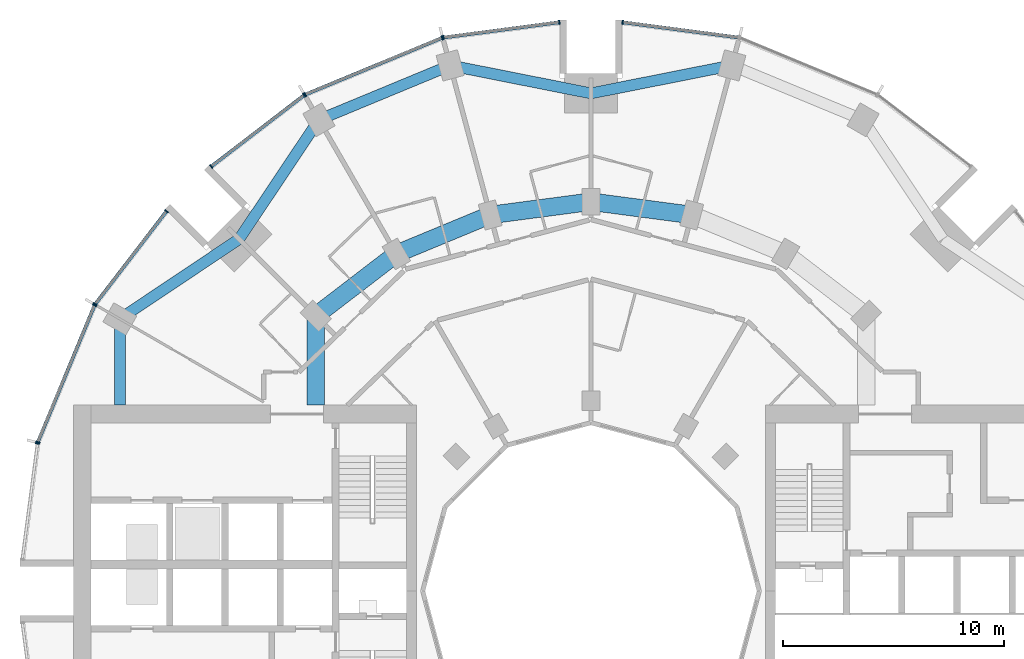
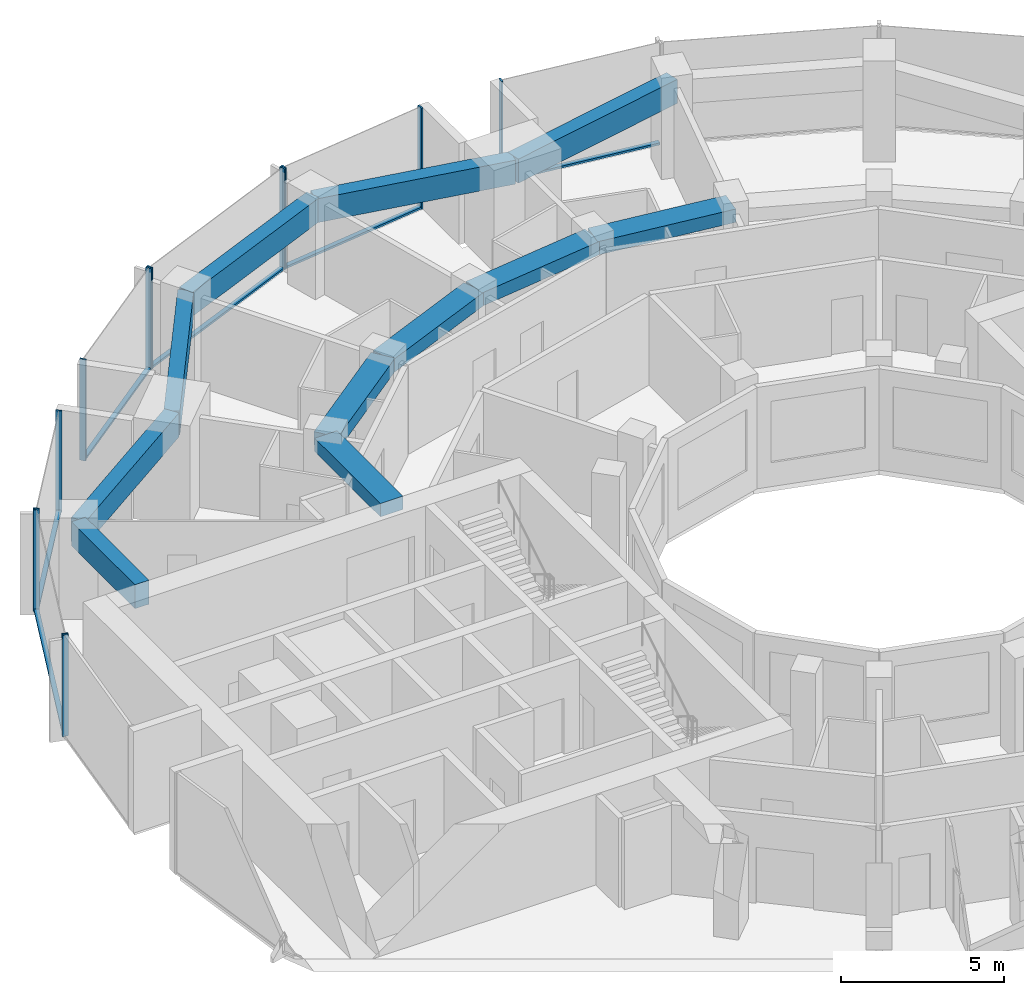
# One storey, part 5 of 15: 18 members, 11 beams, 7 elements without a shape of their own.
"""IFC4 building model written with IfcOpenShell, lengths in metres."""

import ifcopenshell
import ifcopenshell.guid

model = None  # the IFC model being written
_history = None  # IfcOwnerHistory: only IFC2X3 demands one
_inside = {}  # id of a spatial element -> (the spatial element, [elements in it])
_under = {}  # id of a project, library or spatial element -> (it, [spatial elements below it])
_declared = {}  # id of a project -> (the project, [libraries it declares])
_typed = {}  # id of a type object -> (the type object, [elements of that type])
_made_of = {}  # id of a material, layer set ... -> (it, [elements and type objects made of it])


def new_model(schema):
    """Start an empty IFC model of exactly this schema.

    Asked for "IFC4X3", IfcOpenShell would pick the latest addendum, in which some entities
    have other attributes; the version numbers below select the first issue.
    IFC2X3 requires an IfcOwnerHistory on every rooted entity: one is made here for all.
    """
    global model, _history
    if schema == "IFC4X3":
        model = ifcopenshell.file(schema_version=(4, 3, 0, 0))
    else:
        model = ifcopenshell.file(schema=schema)
    _inside.clear()
    _under.clear()
    _declared.clear()
    _typed.clear()
    _made_of.clear()
    _history = None
    if model.schema == "IFC2X3":
        org = make("IfcOrganization", Name="unknown")
        user = make(
            "IfcPersonAndOrganization",
            ThePerson=make("IfcPerson", FamilyName="unknown"),
            TheOrganization=org,
        )
        app = make(
            "IfcApplication",
            ApplicationDeveloper=org,
            Version="unknown",
            ApplicationFullName="unknown",
            ApplicationIdentifier="unknown",
        )
        _history = make(
            "IfcOwnerHistory",
            OwningUser=user,
            OwningApplication=app,
            ChangeAction="ADDED",
            CreationDate=0,
        )
    return model


def make(cls, **values):
    """One entity of the class cls with the attributes given. An attribute that is None is left unset."""
    return model.create_entity(
        cls, **{name: value for name, value in values.items() if value is not None}
    )


def rooted(cls, **values):
    """An entity with a GlobalId (a new one), such as an element, a storey or a relation."""
    return make(cls, GlobalId=ifcopenshell.guid.new(), OwnerHistory=_history, **values)


def si_unit(unit_type, name, prefix=None):
    """IfcSIUnit, for example si_unit("LENGTHUNIT", "METRE", prefix="MILLI")."""
    return make("IfcSIUnit", UnitType=unit_type, Prefix=prefix, Name=name)


def assignment(units):
    """IfcUnitAssignment: the units of a project."""
    return None if units is None else make("IfcUnitAssignment", Units=units)


def point(xyz):
    """IfcCartesianPoint."""
    return None if xyz is None else make("IfcCartesianPoint", Coordinates=xyz)


def direction(xyz):
    """IfcDirection."""
    return None if xyz is None else make("IfcDirection", DirectionRatios=xyz)


def frame(location, z_axis=None, x_axis=None):
    """IfcAxis2Placement3D, a coordinate frame: its origin and axes. An axis left out is left unset."""
    return make(
        "IfcAxis2Placement3D",
        Location=point(location),
        Axis=direction(z_axis),
        RefDirection=direction(x_axis),
    )


def frame_2d(location, x_axis=None):
    """IfcAxis2Placement2D, a coordinate frame in the plane: its origin and x axis."""
    return make(
        "IfcAxis2Placement2D", Location=point(location), RefDirection=direction(x_axis)
    )


def origin():
    """The frame at (0, 0, 0) with its axes left unset."""
    return frame((0.0, 0.0, 0.0))


def origin_2d():
    """The frame at (0, 0) in the plane with its x axis left unset."""
    return frame_2d((0.0, 0.0))


def place(relative_to, where):
    """IfcLocalPlacement: puts the frame where relative to a parent placement (None: the world)."""
    return make(
        "IfcLocalPlacement", PlacementRelTo=relative_to, RelativePlacement=where
    )


def context(
    kind, dimensions, precision=None, world=None, true_north=None, identifier=None
):
    """IfcGeometricRepresentationContext, for example the 3D "Model" context."""
    return make(
        "IfcGeometricRepresentationContext",
        ContextIdentifier=identifier,
        ContextType=kind,
        CoordinateSpaceDimension=dimensions,
        Precision=precision,
        WorldCoordinateSystem=world,
        TrueNorth=true_north,
    )


def subcontext(parent, identifier, kind, view, scale=None):
    """IfcGeometricRepresentationSubContext, for example "Body" below "Model"."""
    return make(
        "IfcGeometricRepresentationSubContext",
        ContextIdentifier=identifier,
        ContextType=kind,
        ParentContext=parent,
        TargetScale=scale,
        TargetView=view,
    )


def project(units=None, contexts=None):
    """IfcProject with its units and contexts."""
    return rooted(
        "IfcProject",
        Name="project",
        RepresentationContexts=contexts,
        UnitsInContext=assignment(units),
    )


def spatial(cls, under=None, at=None, **own):
    """A site, building, storey or space (cls), placed at a placement, below another one or the project."""
    s = rooted(cls, ObjectPlacement=at, **own)
    if under is not None:
        _under.setdefault(under.id(), (under, []))[1].append(s)
    return s


def profile(cls, at=None, kind="AREA", **sizes):
    """A parametric profile (cls). Its sizes go by their IFC names, for example OverallWidth=200.0."""
    return make(cls, ProfileType=kind, Position=at, **sizes)


def rectangle(**sizes):
    """IfcRectangleProfileDef."""
    return profile("IfcRectangleProfileDef", **sizes)


def extrude(swept, where, along, depth):
    """IfcExtrudedAreaSolid: the profile swept, set in the frame where, extruded along a direction by depth."""
    return make(
        "IfcExtrudedAreaSolid",
        SweptArea=swept,
        Position=where,
        ExtrudedDirection=direction(along),
        Depth=depth,
    )


def shape(context_of_items, identifier, shape_type, items):
    """IfcShapeRepresentation: the items that make up one representation, for example the "Body"."""
    return make(
        "IfcShapeRepresentation",
        ContextOfItems=context_of_items,
        RepresentationIdentifier=identifier,
        RepresentationType=shape_type,
        Items=items,
    )


def material(Name=None, Category=None):
    """IfcMaterial."""
    return make("IfcMaterial", Name=Name, Category=Category)


def layer(
    of_material, thickness, ventilated=None, Name=None, Category=None, Priority=None
):
    """IfcMaterialLayer: one layer of a wall or slab, of a material (None: an air gap)."""
    return make(
        "IfcMaterialLayer",
        Material=of_material,
        LayerThickness=thickness,
        IsVentilated=ventilated,
        Name=Name,
        Category=Category,
        Priority=Priority,
    )


def layer_set(layers, Name=None):
    """IfcMaterialLayerSet."""
    return make("IfcMaterialLayerSet", MaterialLayers=layers, LayerSetName=Name)


def material_profile(
    of_material, cross_section, Name=None, Category=None, Priority=None
):
    """IfcMaterialProfile: a cross section and its material."""
    return make(
        "IfcMaterialProfile",
        Name=Name,
        Material=of_material,
        Profile=cross_section,
        Priority=Priority,
        Category=Category,
    )


def profile_set(profiles, Name=None, composite=None):
    """IfcMaterialProfileSet."""
    return make(
        "IfcMaterialProfileSet",
        Name=Name,
        MaterialProfiles=profiles,
        CompositeProfile=composite,
    )


def made_of(thing, what):
    """Note that an element or type object is made of a material, layer set ...; save() writes the relation."""
    if what is not None:
        _made_of.setdefault(what.id(), (what, []))[1].append(thing)
    return thing


def type_object(cls, material=None, **own):
    """A type object (cls), such as IfcWallType, which elements share."""
    return made_of(rooted(cls, **own), material)


def element(
    cls,
    number,
    at=None,
    inside=None,
    cuts=None,
    type_object=None,
    material=None,
    context=None,
    identifier="Body",
    shape_type=None,
    held_by="IfcProductDefinitionShape",
    body=None,
    shapes=None,
    **own,
):
    """One element of the class cls, such as IfcWall. Its Tag is "e" and its number.

    at: its placement. inside: the storey or other place that contains it. cuts: it is an
    opening in that element (IfcRelVoidsElement). A single representation is given by context,
    identifier, shape_type and body (its items); several are given by shapes. held_by: the class
    of the entity that holds the representations. save() writes the other relations.
    """
    e = rooted(cls, Tag="e%d" % number, ObjectPlacement=at, **own)
    if body is not None:
        shapes = [shape(context, identifier, shape_type, body)]
    if shapes is not None:
        e.Representation = make(held_by, Representations=shapes)
    if inside is not None:
        _inside.setdefault(inside.id(), (inside, []))[1].append(e)
    if cuts is not None:
        rooted(
            "IfcRelVoidsElement", RelatingBuildingElement=cuts, RelatedOpeningElement=e
        )
    if type_object is not None:
        _typed.setdefault(type_object.id(), (type_object, []))[1].append(e)
    return made_of(e, material)


def aggregate(whole, parts):
    """IfcRelAggregates: a whole, such as a stair, and the parts it consists of."""
    return rooted("IfcRelAggregates", RelatingObject=whole, RelatedObjects=parts)


def save(model, path):
    """Write the relations noted so far, then the file.

    IfcRelAggregates (storeys below a building ...), IfcRelContainedInSpatialStructure (elements
    in a storey), IfcRelDefinesByType, IfcRelAssociatesMaterial and IfcRelDeclares: one each for
    every whole, place, type object, material and project.
    """
    for whole, parts in _under.values():
        aggregate(whole, parts)
    for where, things in _inside.values():
        rooted(
            "IfcRelContainedInSpatialStructure",
            RelatedElements=things,
            RelatingStructure=where,
        )
    for kind, things in _typed.values():
        rooted("IfcRelDefinesByType", RelatedObjects=things, RelatingType=kind)
    for what, things in _made_of.values():
        rooted("IfcRelAssociatesMaterial", RelatedObjects=things, RelatingMaterial=what)
    for by, libraries in _declared.values():
        rooted("IfcRelDeclares", RelatingContext=by, RelatedDefinitions=libraries)
    model.write(path)


model = new_model("IFC4")

# Units and contexts
model_context = context("Model", 3, precision=1e-05, world=origin(), true_north=direction((0.0, 1.0)))
body_context = subcontext(model_context, "Body", "Model", "MODEL_VIEW")
ifc_project = project(units=[si_unit("LENGTHUNIT", "METRE"), si_unit("AREAUNIT", "SQUARE_METRE"), si_unit("VOLUMEUNIT", "CUBIC_METRE"), si_unit("PLANEANGLEUNIT", "RADIAN"), si_unit("MASSUNIT", "GRAM", prefix="KILO")], contexts=[model_context])

# Site, building, storey
site_placement = place(None, origin())
site = spatial("IfcSite", under=ifc_project, at=site_placement, CompositionType="ELEMENT")
building_placement = place(site_placement, origin())
building = spatial("IfcBuilding", under=site, at=building_placement, Name="Torre Brocal", CompositionType="ELEMENT")
storey_placement = place(building_placement, frame((0.0, 0.0, 70.60009765625)))
storey = spatial("IfcBuildingStorey", under=building, at=storey_placement, Name="L16", CompositionType="ELEMENT", Elevation=70.60009765625)

# Curtain wall, member
ifc_material_1 = material(Name="Aluminium and glass", Category="aluminium")
ifc_layer_1 = layer(ifc_material_1, 0.199951171875)
ifc_layer_set_1 = layer_set([ifc_layer_1], Name="Aluminium and glass")
curtain_wall_type_1 = type_object("IfcCurtainWallType", Name="CW-1 CURTAIN WALL 3800 HIGH", PredefinedType="NOTDEFINED", material=ifc_layer_set_1)
curtain_wall_1_placement = place(storey_placement, origin())
curtain_wall_1 = element("IfcCurtainWall", 1, at=curtain_wall_1_placement, inside=storey, type_object=curtain_wall_type_1, Name="CW-1 RUN 6", PredefinedType="NOTDEFINED")
ifc_material_2 = material(Name="Aluminium, dark anodised", Category="aluminium")
ifc_material_profile_1 = material_profile(ifc_material_2, rectangle(XDim=0.199951171875, YDim=0.06005859375, at=origin_2d()), Name="CW-1 MULLION 60X200")
ifc_profile_set_1 = profile_set([ifc_material_profile_1], Name="Aluminium, dark anodised")
member_type_1 = type_object("IfcMemberType", Name="CW-1 MULLION 60X200", PredefinedType="MULLION", material=ifc_profile_set_1)
member_1_placement = place(storey_placement, frame((81.4296875, 100.7109375, 0.0), z_axis=(0.0, 0.0, 1.0), x_axis=(-0.13052619222, -0.991444861374, 0.0)))
member_1 = element("IfcMember", 2, at=member_1_placement, type_object=member_type_1, Name="CW1-1 mullion 2", PredefinedType="MULLION", context=body_context, shape_type="SweptSolid", body=[
    extrude(rectangle(XDim=0.199951171875, YDim=0.06005859375, at=origin_2d()), origin(), (0.0, 0.0, 1.0), 3.7998046875),
])

# Curtain wall, members
curtain_wall_2_placement = place(storey_placement, origin())
curtain_wall_2 = element("IfcCurtainWall", 3, at=curtain_wall_2_placement, inside=storey, type_object=curtain_wall_type_1, Name="CW-1 RUN 7", PredefinedType="NOTDEFINED")
member_2_placement = place(storey_placement, frame((78.5703125, 100.7109375, 0.0), z_axis=(0.0, 0.0, 1.0), x_axis=(0.13052619222, -0.991444861374, 0.0)))
member_2 = element("IfcMember", 4, at=member_2_placement, type_object=member_type_1, Name="CW1-1 mullion 1", PredefinedType="MULLION", context=body_context, shape_type="SweptSolid", body=[
    extrude(rectangle(XDim=0.199951171875, YDim=0.06005859375, at=origin_2d()), origin(), (0.0, 0.0, 1.0), 3.7998046875),
])
member_3_placement = place(storey_placement, frame((73.32666015625, 100.0205078125, 0.0), z_axis=(0.0, 0.0, 1.0), x_axis=(0.13052619222, -0.991444861374, 0.0)))
member_3 = element("IfcMember", 5, at=member_3_placement, type_object=member_type_1, Name="CW1-1 mullion 2", PredefinedType="MULLION", context=body_context, shape_type="SweptSolid", body=[
    extrude(rectangle(XDim=0.199951171875, YDim=0.06005859375, at=origin_2d()), origin(), (0.0, 0.0, 1.0), 3.7998046875),
])

curtain_wall_3_placement = place(storey_placement, origin())
curtain_wall_3 = element("IfcCurtainWall", 6, at=curtain_wall_3_placement, inside=storey, type_object=curtain_wall_type_1, Name="CW-1 RUN 8", PredefinedType="NOTDEFINED")
member_4_placement = place(storey_placement, frame((73.26904296875, 100.005126953125, 0.0), z_axis=(0.0, 0.0, 1.0), x_axis=(0.382683432333, -0.923879532525, 0.0)))
member_4 = element("IfcMember", 7, at=member_4_placement, type_object=member_type_1, Name="CW1-1 mullion 1", PredefinedType="MULLION", context=body_context, shape_type="SweptSolid", body=[
    extrude(rectangle(XDim=0.199951171875, YDim=0.06005859375, at=origin_2d()), origin(), (0.0, 0.0, 1.0), 3.7998046875),
])
member_5_placement = place(storey_placement, frame((67.078125, 97.440673828125, 0.0), z_axis=(0.0, 0.0, 1.0), x_axis=(0.382683432333, -0.923879532525, 0.0)))
member_5 = element("IfcMember", 8, at=member_5_placement, type_object=member_type_1, Name="CW1-1 mullion 2", PredefinedType="MULLION", context=body_context, shape_type="SweptSolid", body=[
    extrude(rectangle(XDim=0.199951171875, YDim=0.06005859375, at=origin_2d()), origin(), (0.0, 0.0, 1.0), 3.7998046875),
])

curtain_wall_4_placement = place(storey_placement, origin())
curtain_wall_4 = element("IfcCurtainWall", 9, at=curtain_wall_4_placement, inside=storey, type_object=curtain_wall_type_1, Name="CW-1 RUN 9", PredefinedType="NOTDEFINED")
member_6_placement = place(storey_placement, frame((67.026611328125, 97.4111328125, 0.0), z_axis=(0.0, 0.0, 1.0), x_axis=(0.60876142905, -0.793353340259, 0.0)))
member_6 = element("IfcMember", 10, at=member_6_placement, type_object=member_type_1, Name="CW1-1 mullion 1", PredefinedType="MULLION", context=body_context, shape_type="SweptSolid", body=[
    extrude(rectangle(XDim=0.199951171875, YDim=0.06005859375, at=origin_2d()), origin(), (0.0, 0.0, 1.0), 3.7998046875),
])
member_7_placement = place(storey_placement, frame((62.83056640625, 94.19140625, 0.0), z_axis=(0.0, 0.0, 1.0), x_axis=(0.60876142905, -0.793353340259, 0.0)))
member_7 = element("IfcMember", 11, at=member_7_placement, type_object=member_type_1, Name="CW1-1 mullion 2", PredefinedType="MULLION", context=body_context, shape_type="SweptSolid", body=[
    extrude(rectangle(XDim=0.199951171875, YDim=0.06005859375, at=origin_2d()), origin(), (0.0, 0.0, 1.0), 3.7998046875),
])

curtain_wall_5_placement = place(storey_placement, origin())
curtain_wall_5 = element("IfcCurtainWall", 12, at=curtain_wall_5_placement, inside=storey, type_object=curtain_wall_type_1, Name="CW-1 RUN 10", PredefinedType="NOTDEFINED")
member_8_placement = place(storey_placement, frame((60.80859375, 92.16943359375, 0.0), z_axis=(0.0, 0.0, 1.0), x_axis=(0.793353340259, -0.60876142905, 0.0)))
member_8 = element("IfcMember", 13, at=member_8_placement, type_object=member_type_1, Name="CW1-1 mullion 1", PredefinedType="MULLION", context=body_context, shape_type="SweptSolid", body=[
    extrude(rectangle(XDim=0.199951171875, YDim=0.06005859375, at=origin_2d()), origin(), (0.0, 0.0, 1.0), 3.7998046875),
])
member_9_placement = place(storey_placement, frame((57.5888671875, 87.973388671875, 0.0), z_axis=(0.0, 0.0, 1.0), x_axis=(0.793353340259, -0.60876142905, 0.0)))
member_9 = element("IfcMember", 14, at=member_9_placement, type_object=member_type_1, Name="CW1-1 mullion 2", PredefinedType="MULLION", context=body_context, shape_type="SweptSolid", body=[
    extrude(rectangle(XDim=0.199951171875, YDim=0.06005859375, at=origin_2d()), origin(), (0.0, 0.0, 1.0), 3.7998046875),
])

curtain_wall_6_placement = place(storey_placement, origin())
curtain_wall_6 = element("IfcCurtainWall", 15, at=curtain_wall_6_placement, inside=storey, type_object=curtain_wall_type_1, Name="CW-1 RUN 11", PredefinedType="NOTDEFINED")
member_10_placement = place(storey_placement, frame((57.559326171875, 87.921875, 0.0), z_axis=(0.0, 0.0, 1.0), x_axis=(0.923879532525, -0.382683432333, 0.0)))
member_10 = element("IfcMember", 16, at=member_10_placement, type_object=member_type_1, Name="CW1-1 mullion 1", PredefinedType="MULLION", context=body_context, shape_type="SweptSolid", body=[
    extrude(rectangle(XDim=0.199951171875, YDim=0.06005859375, at=origin_2d()), origin(), (0.0, 0.0, 1.0), 3.7998046875),
])
member_11_placement = place(storey_placement, frame((54.994873046875, 81.73095703125, 0.0), z_axis=(0.0, 0.0, 1.0), x_axis=(0.923879532525, -0.382683432333, 0.0)))
member_11 = element("IfcMember", 17, at=member_11_placement, type_object=member_type_1, Name="CW1-1 mullion 2", PredefinedType="MULLION", context=body_context, shape_type="SweptSolid", body=[
    extrude(rectangle(XDim=0.199951171875, YDim=0.06005859375, at=origin_2d()), origin(), (0.0, 0.0, 1.0), 3.7998046875),
])

# Member
ifc_material_3 = material(Name="Aluminium, dark anodised", Category="aluminium")
ifc_material_profile_2 = material_profile(ifc_material_3, rectangle(XDim=0.159912109375, YDim=0.080078125, at=origin_2d()), Name="CW-1 TRANSOM 160X80")
ifc_profile_set_2 = profile_set([ifc_material_profile_2], Name="Aluminium, dark anodised")
member_type_2 = type_object("IfcMemberType", Name="CW-1 TRANSOM 160X80", PredefinedType="USERDEFINED", material=ifc_profile_set_2)
member_12_placement = place(storey_placement, frame((86.643798828125, 100.0244140625, 0.039794921875), z_axis=(-0.991442690863, 0.130542677827, 0.0), x_axis=(-0.130542677827, -0.991442690863, 0.0)))
member_12 = element("IfcMember", 18, at=member_12_placement, type_object=member_type_2, Name="CW1-1 transom 1.1", ObjectType="TRANSOM", PredefinedType="USERDEFINED", context=body_context, shape_type="SweptSolid", body=[
    extrude(rectangle(XDim=0.159912109375, YDim=0.080078125, at=origin_2d()), origin(), (0.0, 0.0, 1.0), 5.22900390625),
])

aggregate(curtain_wall_1, [member_1, member_12])

member_13_placement = place(storey_placement, frame((78.54052734375, 100.70703125, 0.039794921875), z_axis=(-0.991442690863, -0.130542677827, 0.0), x_axis=(0.130542677827, -0.991442690863, 0.0)))
member_13 = element("IfcMember", 19, at=member_13_placement, type_object=member_type_2, Name="CW1-1 transom 1.1", ObjectType="TRANSOM", PredefinedType="USERDEFINED", context=body_context, shape_type="SweptSolid", body=[
    extrude(rectangle(XDim=0.159912109375, YDim=0.080078125, at=origin_2d()), origin(), (0.0, 0.0, 1.0), 5.22900390625),
])

aggregate(curtain_wall_2, [member_2, member_3, member_13])

member_14_placement = place(storey_placement, frame((73.241455078125, 99.99365234375, 0.039794921875), z_axis=(-0.923887344364, -0.38266457234, 0.0), x_axis=(0.38266457234, -0.923887344364, 0.0)))
member_14 = element("IfcMember", 20, at=member_14_placement, type_object=member_type_2, Name="CW1-1 transom 1.1", ObjectType="TRANSOM", PredefinedType="USERDEFINED", context=body_context, shape_type="SweptSolid", body=[
    extrude(rectangle(XDim=0.159912109375, YDim=0.080078125, at=origin_2d()), origin(), (0.0, 0.0, 1.0), 6.640869140625),
])

aggregate(curtain_wall_3, [member_4, member_5, member_14])

member_15_placement = place(storey_placement, frame((67.0029296875, 97.392822265625, 0.039794921875), z_axis=(-0.79336281513, -0.60874908096, 0.0), x_axis=(0.60874908096, -0.79336281513, 0.0)))
member_15 = element("IfcMember", 21, at=member_15_placement, type_object=member_type_2, Name="CW1-1 transom 1.1", ObjectType="TRANSOM", PredefinedType="USERDEFINED", context=body_context, shape_type="SweptSolid", body=[
    extrude(rectangle(XDim=0.159912109375, YDim=0.080078125, at=origin_2d()), origin(), (0.0, 0.0, 1.0), 5.22900390625),
])

aggregate(curtain_wall_4, [member_6, member_7, member_15])

member_16_placement = place(storey_placement, frame((60.790283203125, 92.1455078125, 0.039794921875), z_axis=(-0.60874908096, -0.79336281513, 0.0), x_axis=(0.79336281513, -0.60874908096, 0.0)))
member_16 = element("IfcMember", 22, at=member_16_placement, type_object=member_type_2, Name="CW1-1 transom 1.1", ObjectType="TRANSOM", PredefinedType="USERDEFINED", context=body_context, shape_type="SweptSolid", body=[
    extrude(rectangle(XDim=0.159912109375, YDim=0.080078125, at=origin_2d()), origin(), (0.0, 0.0, 1.0), 5.22900390625),
])

aggregate(curtain_wall_5, [member_8, member_9, member_16])

member_17_placement = place(storey_placement, frame((57.547607421875, 87.89404296875, 0.039794921875), z_axis=(-0.38266457234, -0.923887344364, 0.0), x_axis=(0.923887344364, -0.38266457234, 0.0)))
member_17 = element("IfcMember", 23, at=member_17_placement, type_object=member_type_2, Name="CW1-1 transom 1.1", ObjectType="TRANSOM", PredefinedType="USERDEFINED", context=body_context, shape_type="SweptSolid", body=[
    extrude(rectangle(XDim=0.159912109375, YDim=0.080078125, at=origin_2d()), origin(), (0.0, 0.0, 1.0), 6.640869140625),
])

aggregate(curtain_wall_6, [member_10, member_11, member_17])

# Curtain wall, member
ifc_material_4 = material(Name="Aluminium and glass", Category="aluminium")
ifc_layer_2 = layer(ifc_material_4, 0.199951171875)
ifc_layer_set_2 = layer_set([ifc_layer_2], Name="Aluminium and glass")
curtain_wall_type_2 = type_object("IfcCurtainWallType", Name="CW-1B CURTAIN WALL 3800 HIGH", PredefinedType="NOTDEFINED", material=ifc_layer_set_2)
curtain_wall_7_placement = place(storey_placement, origin())
curtain_wall_7 = element("IfcCurtainWall", 24, at=curtain_wall_7_placement, inside=storey, type_object=curtain_wall_type_2, Name="CW-1B RUN 12", PredefinedType="NOTDEFINED")
ifc_material_5 = material(Name="Aluminium, dark anodised", Category="aluminium")
ifc_material_profile_3 = material_profile(ifc_material_5, rectangle(XDim=0.199951171875, YDim=0.06005859375, at=origin_2d()), Name="CW-1B MULLION 60X200")
ifc_profile_set_3 = profile_set([ifc_material_profile_3], Name="Aluminium, dark anodised")
member_type_3 = type_object("IfcMemberType", Name="CW-1B MULLION 60X200", PredefinedType="MULLION", material=ifc_profile_set_3)
member_18_placement = place(storey_placement, frame((54.9794921875, 81.67333984375, 0.0), z_axis=(0.0, 0.0, 1.0), x_axis=(0.991444861374, -0.13052619222, 0.0)))
member_18 = element("IfcMember", 25, at=member_18_placement, type_object=member_type_3, Name="CW1B-1 mullion 1", PredefinedType="MULLION", context=body_context, shape_type="SweptSolid", body=[
    extrude(rectangle(XDim=0.199951171875, YDim=0.06005859375, at=origin_2d()), origin(), (0.0, 0.0, 1.0), 3.7998046875),
])
aggregate(curtain_wall_7, [member_18])

# Beams
ifc_material_6 = material(Name="Concrete C50", Category="concrete")
ifc_material_profile_4 = material_profile(ifc_material_6, rectangle(XDim=0.800048828125, YDim=0.5, at=origin_2d()), Name="RC 800X500")
ifc_profile_set_4 = profile_set([ifc_material_profile_4], Name="Concrete C50")
beam_type_1 = type_object("IfcBeamType", Name="RC BEAM 800X500 C50 TOP 3400", PredefinedType="BEAM", material=ifc_profile_set_4)
for number, where, z_axis, x_axis, name in (
    (26, (84.55517578125, 92.000244140625, 3.14990234375), (-0.991440544449, 0.130558978332, 0.0), (-0.130558978332, -0.991440544449, 0.0), "Beam BT-21"),
    (27, (80.0, 92.60009765625, 3.14990234375), (-0.991440544449, -0.130558978332, 0.0), (0.130558978332, -0.991440544449, 0.0), "Beam BT-21"),
):
    element("IfcBeam", number, at=place(storey_placement, frame(where, z_axis=z_axis, x_axis=x_axis)), inside=storey, type_object=beam_type_1, Name=name, PredefinedType="BEAM", context=body_context, shape_type="SweptSolid", body=[
        extrude(rectangle(XDim=0.800048828125, YDim=0.5, at=origin_2d()), origin(), (0.0, 0.0, 1.0), 4.594482421875),
    ])
beam_1_placement = place(storey_placement, frame((75.44482421875, 92.000244140625, 3.14990234375), z_axis=(-0.923878240166, -0.382686552348, 0.0), x_axis=(0.382686552348, -0.923878240166, 0.0)))
element("IfcBeam", 28, at=beam_1_placement, inside=storey, type_object=beam_type_1, Name="Beam BT-21", PredefinedType="BEAM", context=body_context, shape_type="SweptSolid", body=[
    extrude(rectangle(XDim=0.800048828125, YDim=0.5, at=origin_2d()), origin(), (0.0, 0.0, 1.0), 4.5947265625),
])
beam_2_placement = place(storey_placement, frame((71.199951171875, 90.241943359375, 3.14990234375), z_axis=(-0.793358265959, -0.6087550097, 0.0), x_axis=(0.6087550097, -0.793358265959, 0.0)))
element("IfcBeam", 29, at=beam_2_placement, inside=storey, type_object=beam_type_1, Name="Beam BT-21", PredefinedType="BEAM", context=body_context, shape_type="SweptSolid", body=[
    extrude(rectangle(XDim=0.800048828125, YDim=0.5, at=origin_2d()), origin(), (0.0, 0.0, 1.0), 4.594482421875),
])
beam_3_placement = place(storey_placement, frame((67.554931640625, 87.445068359375, 3.14990234375), z_axis=(0.0, -1.0, 0.0), x_axis=(1.0, 0.0, 0.0)))
element("IfcBeam", 30, at=beam_3_placement, inside=storey, type_object=beam_type_1, Name="Beam BT-21", PredefinedType="BEAM", context=body_context, shape_type="SweptSolid", body=[
    extrude(rectangle(XDim=0.800048828125, YDim=0.5, at=origin_2d()), origin(), (0.0, 0.0, 1.0), 4.045166015625),
])
ifc_material_7 = material(Name="Concrete C50", Category="concrete")
ifc_material_profile_5 = material_profile(ifc_material_7, rectangle(XDim=0.5, YDim=0.89990234375, at=origin_2d()), Name="RC 500X900")
ifc_profile_set_5 = profile_set([ifc_material_profile_5], Name="Concrete C50")
beam_type_2 = type_object("IfcBeamType", Name="RC SPANDREL BEAM 500X900 C50 TOP 3400", PredefinedType="SPANDREL", material=ifc_profile_set_5)
for number, where, z_axis, x_axis, name in (
    (31, (86.366943359375, 98.76171875, 2.949951171875), (-0.980924907484, -0.194387051723, 0.0), (0.194387051723, -0.980924907484, 0.0), "Beam BT-22"),
    (32, (80.0, 97.5, 2.949951171875), (-0.980924907484, 0.194387051723, 0.0), (-0.194387051723, -0.980924907484, 0.0), "Beam BT-22"),
):
    element("IfcBeam", number, at=place(storey_placement, frame(where, z_axis=z_axis, x_axis=x_axis)), inside=storey, type_object=beam_type_2, Name=name, PredefinedType="SPANDREL", context=body_context, shape_type="SweptSolid", body=[
        extrude(rectangle(XDim=0.5, YDim=0.89990234375, at=origin_2d()), origin(), (0.0, 0.0, 1.0), 6.49072265625),
    ])
beam_4_placement = place(storey_placement, frame((73.633056640625, 98.76171875, 2.949951171875), z_axis=(-0.923882462513, -0.382676358639, 0.0), x_axis=(0.382676358639, -0.923882462513, 0.0)))
element("IfcBeam", 33, at=beam_4_placement, inside=storey, type_object=beam_type_2, Name="Beam BT-22", PredefinedType="SPANDREL", context=body_context, shape_type="SweptSolid", body=[
    extrude(rectangle(XDim=0.5, YDim=0.89990234375, at=origin_2d()), origin(), (0.0, 0.0, 1.0), 6.421875),
])
for number, where, z_axis, x_axis, name in (
    (34, (67.699951171875, 96.30419921875, 2.949951171875), (-0.556157602282, -0.831076844476, 0.0), (0.831076844476, -0.556157602282, 0.0), "Beam BT-22"),
    (35, (64.090087890625, 90.909912109375, 2.949951171875), (-0.831076844476, -0.556157602282, 0.0), (0.556157602282, -0.831076844476, 0.0), "Beam BT-22"),
):
    element("IfcBeam", number, at=place(storey_placement, frame(where, z_axis=z_axis, x_axis=x_axis)), inside=storey, type_object=beam_type_2, Name=name, PredefinedType="SPANDREL", context=body_context, shape_type="SweptSolid", body=[
        extrude(rectangle(XDim=0.5, YDim=0.89990234375, at=origin_2d()), origin(), (0.0, 0.0, 1.0), 6.49072265625),
    ])
beam_5_placement = place(storey_placement, frame((58.69580078125, 87.300048828125, 2.949951171875), z_axis=(0.0, -1.0, 0.0), x_axis=(1.0, 0.0, 0.0)))
element("IfcBeam", 36, at=beam_5_placement, inside=storey, type_object=beam_type_2, Name="Beam BT-22", PredefinedType="SPANDREL", context=body_context, shape_type="SweptSolid", body=[
    extrude(rectangle(XDim=0.5, YDim=0.89990234375, at=origin_2d()), origin(), (0.0, 0.0, 1.0), 3.900146484375),
])

save(model, "model.ifc")
